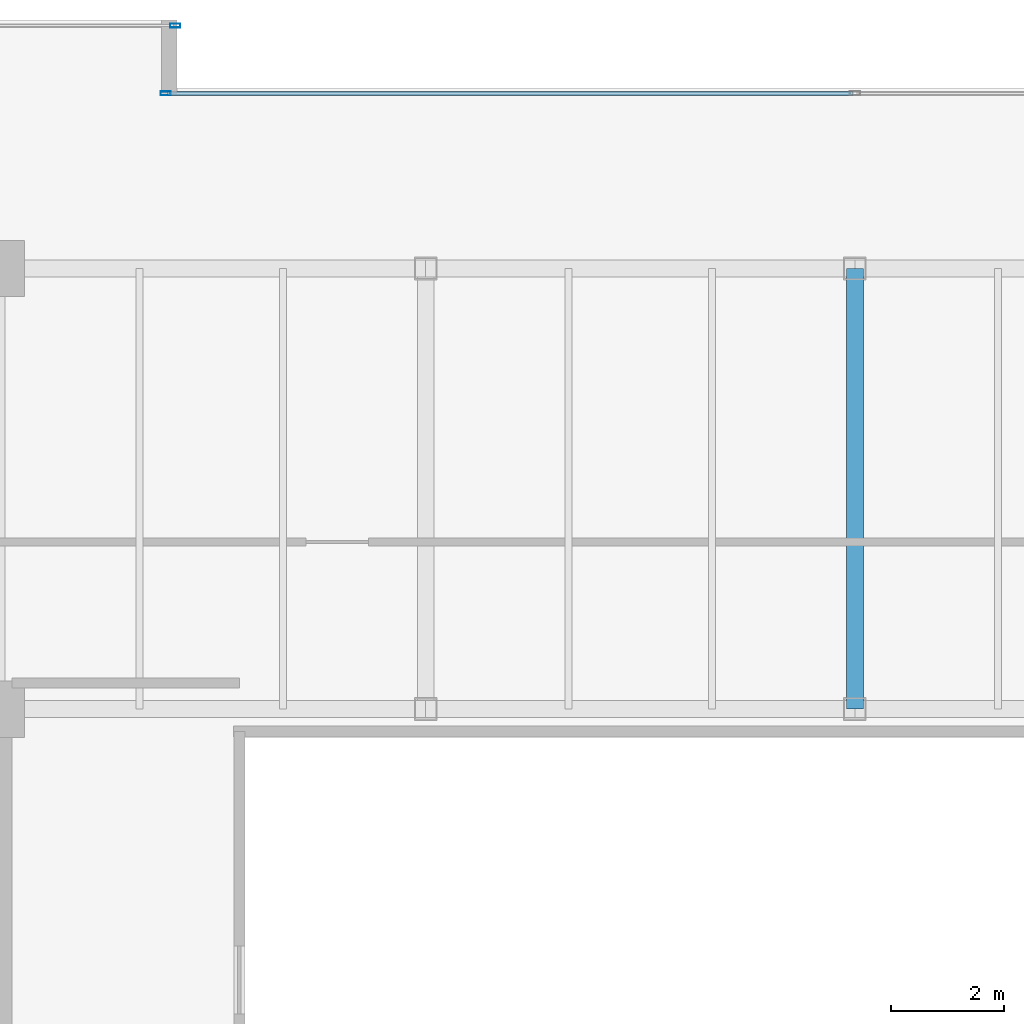
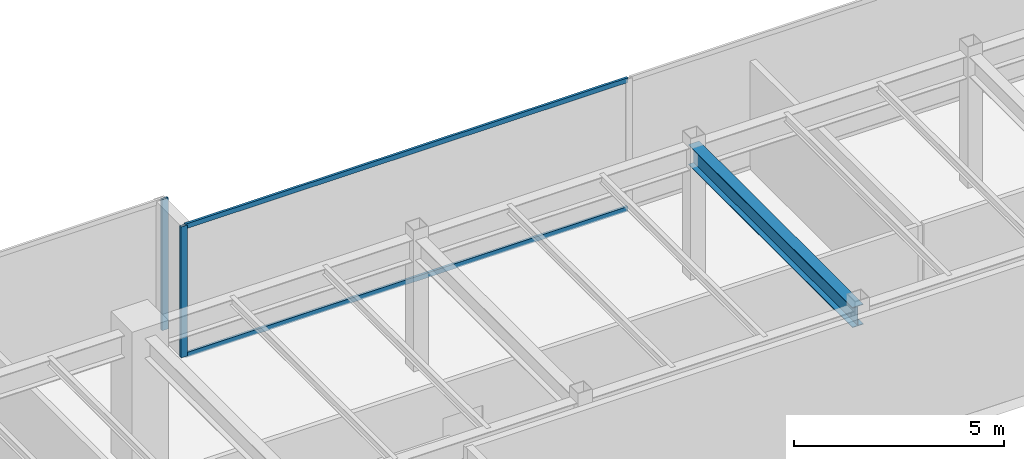
# One storey, part 17 of 33: 4 members, 1 beam, 2 elements without a shape of their own.
"""IFC4 building model written with IfcOpenShell, lengths in metres."""

from ifc_helpers import new_model, si_unit, direction, frame, origin, origin_2d, place, context, subcontext, project, spatial, hollow_rectangle, i_section, extrude, source, transform, mapped, material, layer, layer_set, material_profile, profile_set, type_object, type_shapes, element, aggregate, save


model = new_model("IFC4")

# Units and contexts
model_context = context("Model", 3, precision=1e-05, world=origin(), true_north=direction((0.0, 1.0)))
body_context = subcontext(model_context, "Body", "Model", "MODEL_VIEW")
ifc_project = project(units=[si_unit("LENGTHUNIT", "METRE"), si_unit("AREAUNIT", "SQUARE_METRE"), si_unit("VOLUMEUNIT", "CUBIC_METRE"), si_unit("PLANEANGLEUNIT", "RADIAN"), si_unit("MASSUNIT", "GRAM", prefix="KILO")], contexts=[model_context])

# Site, building, storey
site_placement = place(None, origin())
site = spatial("IfcSite", under=ifc_project, at=site_placement, CompositionType="ELEMENT")
building_placement = place(site_placement, origin())
building = spatial("IfcBuilding", under=site, at=building_placement, Name="Haelvirn Gate Laboratories", CompositionType="ELEMENT")
storey_placement = place(building_placement, frame((0.0, 0.0, 279.300048828125)))
storey = spatial("IfcBuildingStorey", under=building, at=storey_placement, Name="L67", CompositionType="ELEMENT", Elevation=279.300048828125)

# Beam
ifc_material_1 = material(Name="Steel SM355", Category="steel")
ifc_material_profile_1 = material_profile(ifc_material_1, i_section(OverallWidth=0.300048828125, OverallDepth=0.587890625, WebThickness=0.011962890625, FlangeThickness=0.02001953125, at=origin_2d()), Name="H-588x300x12x20")
ifc_profile_set_1 = profile_set([ifc_material_profile_1], Name="Steel SM355")
beam_type = type_object("IfcBeamType", Name="BM-G-588", PredefinedType="BEAM", material=ifc_profile_set_1)
shared_shape_1 = source(origin(), body_context, "Body", "SweptSolid", [
    extrude(i_section(OverallWidth=0.300048828125, OverallDepth=0.587890625, WebThickness=0.011962890625, FlangeThickness=0.02001953125, at=origin_2d()), origin(), (0.0, 0.0, 1.0), 7.800048828125),
])
type_shapes(beam_type, [shared_shape_1])
beam_placement = place(storey_placement, frame((37.39990234375, 33.800048828125, 3.505859375), z_axis=(0.0, 1.0, 0.0), x_axis=(-1.0, 0.0, 0.0)))
element("IfcBeam", 1, at=beam_placement, inside=storey, type_object=beam_type, Name="L67 Frame Girder X37.4 (33.8-41.6)", PredefinedType="BEAM", context=body_context, shape_type="MappedRepresentation", body=[
    mapped(shared_shape_1, transform((0.0, 0.0, 0.0), scale=1.0)),
])

# Curtain wall, members
ifc_material_2 = material(Name="Anodised bronze unitised aluminium & triple low-E glass", Category="aluminium")
ifc_layer = layer(ifc_material_2, 0.176025390625, Name="CW-SYS-4")
ifc_layer_set = layer_set([ifc_layer], Name="Anodised bronze unitised aluminium & triple low-E glass")
curtain_wall_type = type_object("IfcCurtainWallType", Name="CW-SYS-4", PredefinedType="NOTDEFINED", material=ifc_layer_set)
curtain_wall_1_placement = place(storey_placement, origin())
curtain_wall_1 = element("IfcCurtainWall", 2, at=curtain_wall_1_placement, inside=storey, type_object=curtain_wall_type, Name="L67 Unitised Curtain Wall CW-L67-P0-E12-1", PredefinedType="NOTDEFINED")
ifc_material_3 = material(Name="Extruded aluminium 6063-T6 (anodised bronze)", Category="aluminium")
ifc_material_profile_2 = material_profile(ifc_material_3, hollow_rectangle(XDim=0.06494140625, YDim=0.139892578125, WallThickness=0.00390625, at=origin_2d()), Name="CWT-140x65x4")
ifc_profile_set_2 = profile_set([ifc_material_profile_2], Name="Extruded aluminium 6063-T6 (anodised bronze)")
member_type_1 = type_object("IfcMemberType", Name="CWT-T140", PredefinedType="USERDEFINED", material=ifc_profile_set_2)
shared_shape_2 = source(origin(), body_context, "Body", "SweptSolid", [
    extrude(hollow_rectangle(XDim=0.06494140625, YDim=0.139892578125, WallThickness=0.00390625, at=origin_2d()), origin(), (0.0, 0.0, 1.0), 12.135009765625),
])
type_shapes(member_type_1, [shared_shape_2])
member_1_placement = place(storey_placement, frame((25.22998046875, 44.699951171875, 0.032470703125), z_axis=(1.0, 0.0, 0.0), x_axis=(0.0, 1.0, 0.0)))
member_1 = element("IfcMember", 3, at=member_1_placement, type_object=member_type_1, Name="CW4 transom 1.1", ObjectType="TRANSOM", PredefinedType="USERDEFINED", context=body_context, shape_type="MappedRepresentation", body=[
    mapped(shared_shape_2, transform((0.0, 0.0, 0.0), scale=1.0)),
])
member_2_placement = place(storey_placement, frame((25.22998046875, 44.699951171875, 3.767333984375), z_axis=(1.0, 0.0, 0.0), x_axis=(0.0, 1.0, 0.0)))
member_2 = element("IfcMember", 4, at=member_2_placement, type_object=member_type_1, Name="CW4 transom 1.2", ObjectType="TRANSOM", PredefinedType="USERDEFINED", context=body_context, shape_type="MappedRepresentation", body=[
    mapped(shared_shape_2, transform((0.0, 0.0, 0.0), scale=1.0)),
])
ifc_material_profile_3 = material_profile(ifc_material_3, hollow_rectangle(XDim=0.070068359375, YDim=0.179931640625, WallThickness=0.0048828125, at=origin_2d()), Name="CWM-180x70x5")
ifc_profile_set_3 = profile_set([ifc_material_profile_3], Name="Extruded aluminium 6063-T6 (anodised bronze)")
member_type_2 = type_object("IfcMemberType", Name="CWM-T180", PredefinedType="MULLION", material=ifc_profile_set_3)
shared_shape_3 = source(origin(), body_context, "Body", "SweptSolid", [
    extrude(hollow_rectangle(XDim=0.070068359375, YDim=0.179931640625, WallThickness=0.0048828125, at=origin_2d()), origin(), (0.0, 0.0, 1.0), 3.800048828125),
])
type_shapes(member_type_2, [shared_shape_3])
member_3_placement = place(storey_placement, frame((25.195068359375, 44.699951171875, 0.0), z_axis=(0.0, 0.0, 1.0), x_axis=(0.0, 1.0, 0.0)))
member_3 = element("IfcMember", 5, at=member_3_placement, type_object=member_type_2, Name="CW4 mullion 1", PredefinedType="MULLION", context=body_context, shape_type="MappedRepresentation", body=[
    mapped(shared_shape_3, transform((0.0, 0.0, 0.0), scale=1.0)),
])
aggregate(curtain_wall_1, [member_3, member_1, member_2])

# Curtain wall, member
curtain_wall_2_placement = place(storey_placement, origin())
curtain_wall_2 = element("IfcCurtainWall", 6, at=curtain_wall_2_placement, inside=storey, type_object=curtain_wall_type, Name="L67 Unitised Curtain Wall CW-L67-P0-E14-1", PredefinedType="NOTDEFINED")
member_4_placement = place(storey_placement, frame((25.364990234375, 45.89990234375, 0.0), z_axis=(0.0, 0.0, 1.0), x_axis=(0.0, 1.0, 0.0)))
member_4 = element("IfcMember", 7, at=member_4_placement, type_object=member_type_2, Name="CW4 mullion 3", PredefinedType="MULLION", context=body_context, shape_type="MappedRepresentation", body=[
    mapped(shared_shape_3, transform((0.0, 0.0, 0.0), scale=1.0)),
])
aggregate(curtain_wall_2, [member_4])

save(model, "model.ifc")
